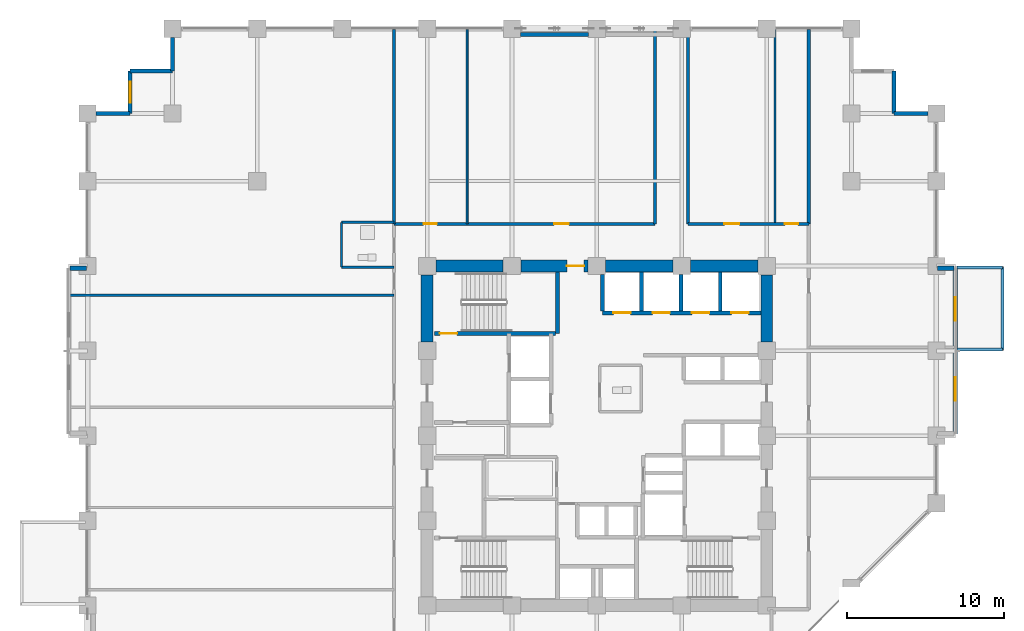
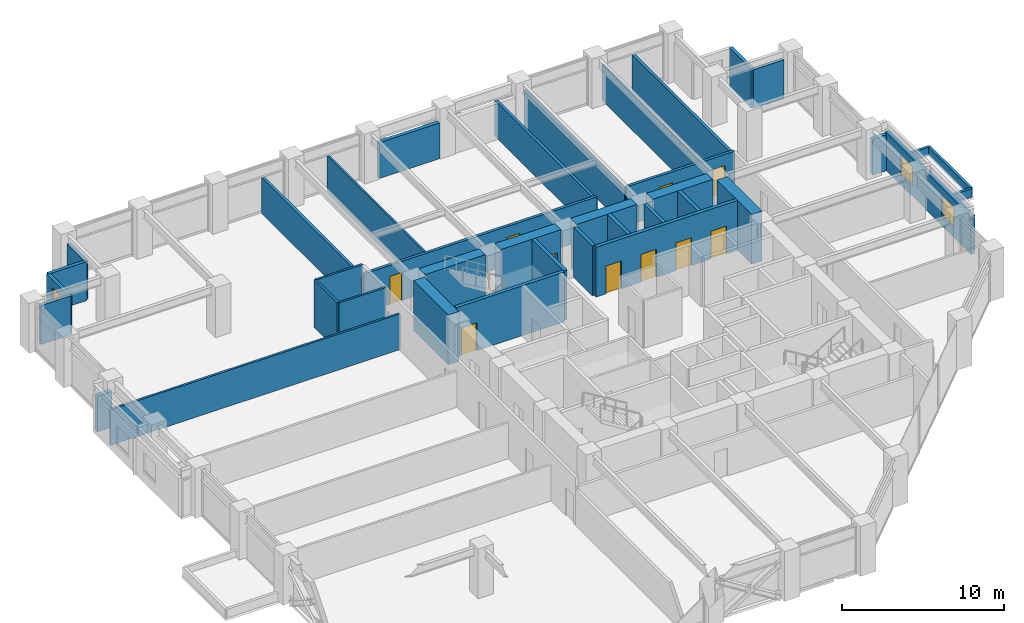
# One storey, part 21 of 25: 38 walls, 10 doors, 3 windows, 13 openings.
"""IFC4 building model written with IfcOpenShell, lengths in metres."""

from ifc_helpers import new_model, si_unit, direction, frame, frame_2d, origin, place, context, subcontext, project, spatial, rectangle, extrude, material, layer, layer_set, type_object, element, fill, save


model = new_model("IFC4")

# Units and contexts
model_context = context("Model", 3, precision=1e-05, world=origin(), true_north=direction((0.0, 1.0)))
body_context = subcontext(model_context, "Body", "Model", "MODEL_VIEW")
ifc_project = project(units=[si_unit("LENGTHUNIT", "METRE"), si_unit("AREAUNIT", "SQUARE_METRE"), si_unit("VOLUMEUNIT", "CUBIC_METRE"), si_unit("PLANEANGLEUNIT", "RADIAN"), si_unit("MASSUNIT", "GRAM", prefix="KILO")], contexts=[model_context])

# Site, building, storey
site_placement = place(None, origin())
site = spatial("IfcSite", under=ifc_project, at=site_placement, CompositionType="ELEMENT")
building_placement = place(site_placement, origin())
building = spatial("IfcBuilding", under=site, at=building_placement, Name="Surkhivell Harbour Commons", CompositionType="ELEMENT")
storey_placement = place(building_placement, frame((0.0, 0.0, 94.5)))
storey = spatial("IfcBuildingStorey", under=building, at=storey_placement, Name="L24", CompositionType="ELEMENT", Elevation=94.5)

# Wall
ifc_material_1 = material(Name="Concrete C60/75", Category="concrete")
ifc_layer_1 = layer(ifc_material_1, 0.75)
ifc_layer_set_1 = layer_set([ifc_layer_1], Name="Concrete C60/75")
wall_type_1 = type_object("IfcWallType", Name="WAL-CORE-750", PredefinedType="SHEAR", material=ifc_layer_set_1)
wall_1_placement = place(storey_placement, frame((-10.239990234375, 10.800048828125, 0.0), z_axis=(0.0, 0.0, 1.0), x_axis=(1.0, 0.0, 0.0)))
element("IfcWall", 1, at=wall_1_placement, inside=storey, type_object=wall_type_1, Name="L24 Core Shear Wall North 1", PredefinedType="SHEAR", context=body_context, shape_type="SweptSolid", body=[
    extrude(rectangle(XDim=4.280029296875, YDim=0.75, at=frame_2d((2.14013671875, 0.0))), origin(), (0.0, 0.0, 1.0), 3.75),
])

# Wall, opening, door
wall_2_placement = place(storey_placement, frame((-4.840087890625, 10.800048828125, 0.0), z_axis=(0.0, 0.0, 1.0), x_axis=(1.0, 0.0, 0.0)))
wall_2 = element("IfcWall", 2, at=wall_2_placement, inside=storey, type_object=wall_type_1, Name="L24 Core Shear Wall North 2", PredefinedType="SHEAR", context=body_context, shape_type="SweptSolid", body=[
    extrude(rectangle(XDim=4.280029296875, YDim=0.75, at=frame_2d((2.14013671875, 0.0))), origin(), (0.0, 0.0, 1.0), 3.75),
])
opening_1_placement = place(wall_2_placement, frame((2.929931640625, 0.0, 0.0)))
opening_1 = element("IfcOpeningElement", 3, at=opening_1_placement, cuts=wall_2, Name="Opening ID-2", PredefinedType="OPENING", context=body_context, shape_type="SweptSolid", body=[
    extrude(rectangle(XDim=1.10009765625, YDim=2.10009765625, at=frame_2d((0.550048828125, 1.050048828125))), frame((0.0, 0.385009765625, 0.0), z_axis=(0.0, -1.0, 0.0), x_axis=(1.0, 0.0, 0.0)), (0.0, 0.0, 1.0), 0.77001953125),
])
ifc_material_2 = material(Name="Hardwood-veneered fire-rated door leaf", Category="wood")
door_type_1 = type_object("IfcDoorType", Name="DOR-FD60-1100", OperationType="NOTDEFINED", PredefinedType="DOOR", material=ifc_material_2)
door_1_placement = place(opening_1_placement, origin())
door_1 = element("IfcDoor", 4, at=door_1_placement, inside=storey, type_object=door_type_1, Name="L24 Central Core Lift Hall North Corridor Door", OperationType="SINGLE_SWING_LEFT", OverallHeight=2.10009765625, OverallWidth=1.10009765625, PredefinedType="DOOR", context=body_context, shape_type="SweptSolid", body=[
    extrude(rectangle(XDim=1.10009765625, YDim=2.10009765625, at=frame_2d((0.550048828125, 1.050048828125))), frame((0.0, 0.02490234375, 0.0), z_axis=(0.0, -1.0, 0.0), x_axis=(1.0, 0.0, 0.0)), (0.0, 0.0, 1.0), 0.050048828125),
])
fill(opening_1, door_1)

# Walls
for number, where, z_axis, x_axis, name in (
    (5, (0.56005859375, 10.800048828125, 0.0), (0.0, 0.0, 1.0), (1.0, 0.0, 0.0), "L24 Core Shear Wall North 3"),
    (6, (5.9599609375, 10.800048828125, 0.0), (0.0, 0.0, 1.0), (1.0, 0.0, 0.0), "L24 Core Shear Wall North 4"),
    (7, (-10.800048828125, 5.9599609375, 0.0), (0.0, 0.0, 1.0), (0.0, 1.0, 0.0), "L24 Core Shear Wall West 4"),
    (8, (10.800048828125, 5.9599609375, 0.0), (0.0, 0.0, 1.0), (0.0, 1.0, 0.0), "L24 Core Shear Wall East 4"),
):
    element("IfcWall", number, at=place(storey_placement, frame(where, z_axis=z_axis, x_axis=x_axis)), inside=storey, type_object=wall_type_1, Name=name, PredefinedType="SHEAR", context=body_context, shape_type="SweptSolid", body=[
        extrude(rectangle(XDim=4.280029296875, YDim=0.75, at=frame_2d((2.14013671875, 0.0))), origin(), (0.0, 0.0, 1.0), 3.75),
    ])
ifc_material_3 = material(Name="Flemish-bond kiln brick and precast concrete C45/55", Category="masonry")
ifc_layer_2 = layer(ifc_material_3, 0.300048828125)
ifc_layer_set_2 = layer_set([ifc_layer_2], Name="Flemish-bond kiln brick and precast concrete C45/55")
wall_type_2 = type_object("IfcWallType", Name="WAL-EXT-BRK300", PredefinedType="STANDARD", material=ifc_layer_set_2)
wall_3_placement = place(storey_placement, frame((-33.52001953125, 10.659912109375, 0.0), z_axis=(0.0, 0.0, 1.0), x_axis=(1.0, 0.0, 0.0)))
element("IfcWall", 9, at=wall_3_placement, inside=storey, type_object=wall_type_2, Name="L24 Coloured Box Return Wall 02N", PredefinedType="STANDARD", context=body_context, shape_type="SweptSolid", body=[
    extrude(rectangle(XDim=1.0400390625, YDim=0.300048828125, at=frame_2d((0.52001953125, 0.0))), origin(), (0.0, 0.0, 1.0), 2.698974609375),
])
ifc_material_4 = material(Name="Pale-metal insulated precast concrete C45/55", Category="concrete")
ifc_layer_3 = layer(ifc_material_4, 0.260009765625)
ifc_layer_set_3 = layer_set([ifc_layer_3], Name="Pale-metal insulated precast concrete C45/55")
wall_type_3 = type_object("IfcWallType", Name="WAL-EXT-MTL260", PredefinedType="STANDARD", material=ifc_layer_set_3)
wall_4_placement = place(storey_placement, frame((-0.548095703125, 25.5400390625, 0.0), z_axis=(0.0, 0.0, 1.0), x_axis=(-1.0, 0.0, 0.0)))
element("IfcWall", 10, at=wall_4_placement, inside=storey, type_object=wall_type_3, Name="L24 Braced-Bay Insulated Spandrel Backing N", PredefinedType="STANDARD", context=body_context, shape_type="SweptSolid", body=[
    extrude(rectangle(XDim=4.303955078125, YDim=0.260009765625, at=frame_2d((2.15185546875, 0.0))), origin(), (0.0, 0.0, 1.0), 2.698974609375),
])
ifc_material_5 = material(Name="Bronze-ochre cassette precast concrete C45/55", Category="concrete")
ifc_layer_4 = layer(ifc_material_5, 0.239990234375)
ifc_layer_set_4 = layer_set([ifc_layer_4], Name="Bronze-ochre cassette precast concrete C45/55")
wall_type_4 = type_object("IfcWallType", Name="WAL-EXT-OCH240", PredefinedType="STANDARD", material=ifc_layer_set_4)
wall_5_placement = place(storey_placement, frame((21.052001953125, 20.5, 0.0), z_axis=(0.0, 0.0, 1.0), x_axis=(-1.0, 0.0, 0.0)))
element("IfcWall", 11, at=wall_5_placement, inside=storey, type_object=wall_type_4, Name="L24 Serrated Corner Facade Wall 03", PredefinedType="STANDARD", context=body_context, shape_type="SweptSolid", body=[
    extrude(rectangle(XDim=2.152099609375, YDim=0.239990234375, at=frame_2d((1.076171875, 0.0))), origin(), (0.0, 0.0, 1.0), 2.93310546875),
])
wall_6_placement = place(storey_placement, frame((18.89990234375, 20.5, 0.0), z_axis=(0.0, 0.0, 1.0), x_axis=(0.0, 1.0, 0.0)))
element("IfcWall", 12, at=wall_6_placement, inside=storey, type_object=wall_type_4, Name="L24 Serrated Corner Facade Wall 04", PredefinedType="STANDARD", context=body_context, shape_type="SweptSolid", body=[
    extrude(rectangle(XDim=2.699951171875, YDim=0.239990234375, at=frame_2d((1.35009765625, 0.0))), origin(), (0.0, 0.0, 1.0), 2.93310546875),
])
wall_7_placement = place(storey_placement, frame((-27.0, 25.35205078125, 0.0), z_axis=(0.0, 0.0, 1.0), x_axis=(0.0, -1.0, 0.0)))
element("IfcWall", 13, at=wall_7_placement, inside=storey, type_object=wall_type_4, Name="L24 Serrated Corner Facade Wall 08", PredefinedType="STANDARD", context=body_context, shape_type="SweptSolid", body=[
    extrude(rectangle(XDim=2.152099609375, YDim=0.239990234375, at=frame_2d((1.076171875, 0.0))), origin(), (0.0, 0.0, 1.0), 2.93310546875),
])
wall_8_placement = place(storey_placement, frame((-27.0, 23.199951171875, 0.0), z_axis=(0.0, 0.0, 1.0), x_axis=(-1.0, 0.0, 0.0)))
element("IfcWall", 14, at=wall_8_placement, inside=storey, type_object=wall_type_4, Name="L24 Serrated Corner Facade Wall 09", PredefinedType="STANDARD", context=body_context, shape_type="SweptSolid", body=[
    extrude(rectangle(XDim=2.699951171875, YDim=0.239990234375, at=frame_2d((1.35009765625, 0.0))), origin(), (0.0, 0.0, 1.0), 2.93310546875),
])

# Wall, opening, window
wall_9_placement = place(storey_placement, frame((-29.699951171875, 23.199951171875, 0.0), z_axis=(0.0, 0.0, 1.0), x_axis=(0.0, -1.0, 0.0)))
wall_9 = element("IfcWall", 15, at=wall_9_placement, inside=storey, type_object=wall_type_4, Name="L24 Serrated Corner Facade Wall 10", PredefinedType="STANDARD", context=body_context, shape_type="SweptSolid", body=[
    extrude(rectangle(XDim=2.699951171875, YDim=0.239990234375, at=frame_2d((1.35009765625, 0.0))), origin(), (0.0, 0.0, 1.0), 2.93310546875),
])
opening_2_placement = place(wall_9_placement, frame((0.675048828125, 0.0, 0.64990234375)))
opening_2 = element("IfcOpeningElement", 16, at=opening_2_placement, cuts=wall_9, Name="Opening WN-08", PredefinedType="OPENING", context=body_context, shape_type="SweptSolid", body=[
    extrude(rectangle(XDim=1.35009765625, YDim=1.64990234375, at=frame_2d((0.675048828125, 0.824951171875))), frame((0.0, 0.1298828125, 0.0), z_axis=(0.0, -1.0, 0.0), x_axis=(1.0, 0.0, 0.0)), (0.0, 0.0, 1.0), 0.260009765625),
])
ifc_material_6 = material(Name="Thermal-break aluminium frame and double low-E glazing", Category="aluminium")
window_type_1 = type_object("IfcWindowType", Name="WIN-SER-1350x1650", PartitioningType="SINGLE_PANEL", PredefinedType="WINDOW", material=ifc_material_6)
window_1_placement = place(opening_2_placement, origin())
window_1 = element("IfcWindow", 17, at=window_1_placement, inside=storey, type_object=window_type_1, Name="L24 Serrated Alcove Window 10", OverallHeight=1.64990234375, OverallWidth=1.35009765625, PartitioningType="SINGLE_PANEL", PredefinedType="WINDOW", context=body_context, shape_type="SweptSolid", body=[
    extrude(rectangle(XDim=1.35009765625, YDim=1.64990234375, at=frame_2d((0.675048828125, 0.824951171875))), frame((0.0, 0.030029296875, 0.0), z_axis=(0.0, -1.0, 0.0), x_axis=(1.0, 0.0, 0.0)), (0.0, 0.0, 1.0), 0.06005859375),
])
fill(opening_2, window_1)

# Wall
wall_10_placement = place(storey_placement, frame((-29.699951171875, 20.5, 0.0), z_axis=(0.0, 0.0, 1.0), x_axis=(-1.0, 0.0, 0.0)))
element("IfcWall", 18, at=wall_10_placement, inside=storey, type_object=wall_type_4, Name="L24 Serrated Corner Facade Wall 11", PredefinedType="STANDARD", context=body_context, shape_type="SweptSolid", body=[
    extrude(rectangle(XDim=2.152099609375, YDim=0.239990234375, at=frame_2d((1.076171875, 0.0))), origin(), (0.0, 0.0, 1.0), 2.93310546875),
])

# Wall, openings, windows
ifc_material_7 = material(Name="Terracotta-clad reinforced concrete C45/55", Category="masonry")
ifc_layer_5 = layer(ifc_material_7, 0.280029296875)
ifc_layer_set_5 = layer_set([ifc_layer_5], Name="Terracotta-clad reinforced concrete C45/55")
wall_type_5 = type_object("IfcWallType", Name="WAL-EXT-TER280", PredefinedType="STANDARD", material=ifc_layer_set_5)
wall_11_placement = place(storey_placement, frame((22.800048828125, 0.1201171875, 0.0), z_axis=(0.0, 0.0, 1.0), x_axis=(0.0, 1.0, 0.0)))
wall_11 = element("IfcWall", 19, at=wall_11_placement, inside=storey, type_object=wall_type_5, Name="L24 Coloured Box Front Wall 01", PredefinedType="STANDARD", context=body_context, shape_type="SweptSolid", body=[
    extrude(rectangle(XDim=10.559814453125, YDim=0.280029296875, at=frame_2d((5.27978515625, 0.0))), origin(), (0.0, 0.0, 1.0), 2.85693359375),
])
opening_3_placement = place(wall_11_placement, frame((2.094970703125, 0.0, 0.75)))
opening_3 = element("IfcOpeningElement", 20, at=opening_3_placement, cuts=wall_11, Name="Opening WN-13", PredefinedType="OPENING", context=body_context, shape_type="SweptSolid", body=[
    extrude(rectangle(XDim=1.5, YDim=1.5, at=frame_2d((0.75, 0.75))), frame((0.0, 0.14990234375, 0.0), z_axis=(0.0, -1.0, 0.0), x_axis=(1.0, 0.0, 0.0)), (0.0, 0.0, 1.0), 0.300048828125),
])
opening_4_placement = place(wall_11_placement, frame((7.195068359375, 0.0, 0.75)))
opening_4 = element("IfcOpeningElement", 21, at=opening_4_placement, cuts=wall_11, Name="Opening WN-13", PredefinedType="OPENING", context=body_context, shape_type="SweptSolid", body=[
    extrude(rectangle(XDim=1.5, YDim=1.5, at=frame_2d((0.75, 0.75))), frame((0.0, 0.14990234375, 0.0), z_axis=(0.0, -1.0, 0.0), x_axis=(1.0, 0.0, 0.0)), (0.0, 0.0, 1.0), 0.300048828125),
])
window_type_2 = type_object("IfcWindowType", Name="WIN-BOX-1500x1500", PartitioningType="SINGLE_PANEL", PredefinedType="WINDOW", material=ifc_material_6)
window_2_placement = place(opening_3_placement, origin())
window_2 = element("IfcWindow", 22, at=window_2_placement, inside=storey, type_object=window_type_2, Name="L24 Coloured Box Square Window 01-1", OverallHeight=1.5, OverallWidth=1.5, PartitioningType="SINGLE_PANEL", PredefinedType="WINDOW", context=body_context, shape_type="SweptSolid", body=[
    extrude(rectangle(XDim=1.5, YDim=1.5, at=frame_2d((0.75, 0.75))), frame((0.0, 0.030029296875, 0.0), z_axis=(0.0, -1.0, 0.0), x_axis=(1.0, 0.0, 0.0)), (0.0, 0.0, 1.0), 0.06005859375),
])
fill(opening_3, window_2)
window_3_placement = place(opening_4_placement, origin())
window_3 = element("IfcWindow", 23, at=window_3_placement, inside=storey, type_object=window_type_2, Name="L24 Coloured Box Square Window 01-2", OverallHeight=1.5, OverallWidth=1.5, PartitioningType="SINGLE_PANEL", PredefinedType="WINDOW", context=body_context, shape_type="SweptSolid", body=[
    extrude(rectangle(XDim=1.5, YDim=1.5, at=frame_2d((0.75, 0.75))), frame((0.0, 0.030029296875, 0.0), z_axis=(0.0, -1.0, 0.0), x_axis=(1.0, 0.0, 0.0)), (0.0, 0.0, 1.0), 0.06005859375),
])
fill(opening_4, window_3)

# Walls
wall_12_placement = place(storey_placement, frame((21.679931640625, 10.659912109375, 0.0), z_axis=(0.0, 0.0, 1.0), x_axis=(1.0, 0.0, 0.0)))
element("IfcWall", 24, at=wall_12_placement, inside=storey, type_object=wall_type_5, Name="L24 Coloured Box Return Wall 01N", PredefinedType="STANDARD", context=body_context, shape_type="SweptSolid", body=[
    extrude(rectangle(XDim=1.0400390625, YDim=0.280029296875, at=frame_2d((0.52001953125, 0.0))), origin(), (0.0, 0.0, 1.0), 2.698974609375),
])
ifc_material_8 = material(Name="Moisture-resistant acoustic stud partition", Category="other")
ifc_layer_6 = layer(ifc_material_8, 0.125)
ifc_layer_set_6 = layer_set([ifc_layer_6], Name="Moisture-resistant acoustic stud partition")
wall_type_6 = type_object("IfcWallType", Name="WAL-INT-125", PredefinedType="PARTITIONING", material=ifc_layer_set_6)
wall_13_placement = place(storey_placement, frame((-8.25, 13.47998046875, 0.0), z_axis=(0.0, 0.0, 1.0), x_axis=(0.0, 1.0, 0.0)))
element("IfcWall", 25, at=wall_13_placement, inside=storey, type_object=wall_type_6, Name="L24 North-West Partition P1", PredefinedType="PARTITIONING", context=body_context, shape_type="SweptSolid", body=[
    extrude(rectangle(XDim=12.360107421875, YDim=0.125, at=frame_2d((6.18017578125, 0.0))), origin(), (0.0, 0.0, 1.0), 2.698974609375),
])
ifc_material_9 = material(Name="Twin-stud acoustic fireboard partition", Category="other")
ifc_layer_7 = layer(ifc_material_9, 0.14990234375)
ifc_layer_set_7 = layer_set([ifc_layer_7], Name="Twin-stud acoustic fireboard partition")
wall_type_7 = type_object("IfcWallType", Name="WAL-INT-150", PredefinedType="PARTITIONING", material=ifc_layer_set_7)
wall_14_placement = place(storey_placement, frame((11.330078125, 13.47998046875, 0.0), z_axis=(0.0, 0.0, 1.0), x_axis=(0.0, 1.0, 0.0)))
element("IfcWall", 26, at=wall_14_placement, inside=storey, type_object=wall_type_7, Name="L24 North-East Partition P1", PredefinedType="PARTITIONING", context=body_context, shape_type="SweptSolid", body=[
    extrude(rectangle(XDim=12.360107421875, YDim=0.14990234375, at=frame_2d((6.18017578125, 0.0))), origin(), (0.0, 0.0, 1.0), 2.698974609375),
])
wall_15_placement = place(storey_placement, frame((-16.25, 10.72998046875, 0.0), z_axis=(0.0, 0.0, 1.0), x_axis=(0.0, 1.0, 0.0)))
element("IfcWall", 27, at=wall_15_placement, inside=storey, type_object=wall_type_7, Name="L24 West Partition BTHB", PredefinedType="PARTITIONING", context=body_context, shape_type="SweptSolid", body=[
    extrude(rectangle(XDim=2.85009765625, YDim=0.14990234375, at=frame_2d((1.425048828125, 0.0))), origin(), (0.0, 0.0, 1.0), 3.570068359375),
])
for number, where, z_axis, x_axis, name in (
    (28, (-16.25, 13.580078125, 0.0), (0.0, 0.0, 1.0), (1.0, 0.0, 0.0), "L24 West Partition BTHN"),
    (29, (-16.25, 10.72998046875, 0.0), (0.0, 0.0, 1.0), (1.0, 0.0, 0.0), "L24 West Partition BTHS"),
):
    element("IfcWall", number, at=place(storey_placement, frame(where, z_axis=z_axis, x_axis=x_axis)), inside=storey, type_object=wall_type_7, Name=name, PredefinedType="PARTITIONING", context=body_context, shape_type="SweptSolid", body=[
        extrude(rectangle(XDim=3.35009765625, YDim=0.14990234375, at=frame_2d((1.675048828125, 0.0))), origin(), (0.0, 0.0, 1.0), 3.570068359375),
    ])
wall_16_placement = place(storey_placement, frame((-33.5400390625, 8.929931640625, 0.0), z_axis=(0.0, 0.0, 1.0), x_axis=(1.0, 0.0, 0.0)))
element("IfcWall", 30, at=wall_16_placement, inside=storey, type_object=wall_type_7, Name="L24 West Partition PTOP", PredefinedType="PARTITIONING", context=body_context, shape_type="SweptSolid", body=[
    extrude(rectangle(XDim=20.64013671875, YDim=0.14990234375, at=frame_2d((10.320068359375, 0.0))), origin(), (0.0, 0.0, 1.0), 2.698974609375),
])
ifc_material_10 = material(Name="Autoclaved aerated concrete blockwork and fire plaster", Category="masonry")
ifc_layer_8 = layer(ifc_material_10, 0.199951171875)
ifc_layer_set_8 = layer_set([ifc_layer_8], Name="Autoclaved aerated concrete blockwork and fire plaster")
wall_type_8 = type_object("IfcWallType", Name="WAL-INT-200", PredefinedType="PARTITIONING", material=ifc_layer_set_8)
for number, where, z_axis, x_axis, name in (
    (31, (13.47998046875, 13.47998046875, 0.0), (0.0, 0.0, 1.0), (0.0, 1.0, 0.0), "L24 North-East Wing Corner Divider"),
    (32, (-12.89990234375, 13.47998046875, 0.0), (0.0, 0.0, 1.0), (0.0, 1.0, 0.0), "L24 North-West Wing Corner Divider"),
):
    element("IfcWall", number, at=place(storey_placement, frame(where, z_axis=z_axis, x_axis=x_axis)), inside=storey, type_object=wall_type_8, Name=name, PredefinedType="PARTITIONING", context=body_context, shape_type="SweptSolid", body=[
        extrude(rectangle(XDim=12.360107421875, YDim=0.199951171875, at=frame_2d((6.18017578125, 0.0))), origin(), (0.0, 0.0, 1.0), 2.698974609375),
    ])

# Wall, openings, doors
wall_17_placement = place(storey_placement, frame((-12.89990234375, 13.47998046875, 0.0), z_axis=(0.0, 0.0, 1.0), x_axis=(1.0, 0.0, 0.0)))
wall_17 = element("IfcWall", 33, at=wall_17_placement, inside=storey, type_object=wall_type_8, Name="L24 Corridor North-West Wall", PredefinedType="PARTITIONING", context=body_context, shape_type="SweptSolid", body=[
    extrude(rectangle(XDim=16.599853515625, YDim=0.199951171875, at=frame_2d((8.2998046875, 0.0))), origin(), (0.0, 0.0, 1.0), 2.93310546875),
])
opening_5_placement = place(wall_17_placement, frame((1.875, 0.0, 0.0)))
opening_5 = element("IfcOpeningElement", 34, at=opening_5_placement, cuts=wall_17, Name="Opening ID-6", PredefinedType="OPENING", context=body_context, shape_type="SweptSolid", body=[
    extrude(rectangle(XDim=0.85009765625, YDim=2.10009765625, at=frame_2d((0.425048828125, 1.050048828125))), frame((0.0, 0.10986328125, 0.0), z_axis=(0.0, -1.0, 0.0), x_axis=(1.0, 0.0, 0.0)), (0.0, 0.0, 1.0), 0.219970703125),
])
opening_6_placement = place(wall_17_placement, frame((10.175048828125, 0.0, 0.0)))
opening_6 = element("IfcOpeningElement", 35, at=opening_6_placement, cuts=wall_17, Name="Opening ID-4", PredefinedType="OPENING", context=body_context, shape_type="SweptSolid", body=[
    extrude(rectangle(XDim=0.949951171875, YDim=2.10009765625, at=frame_2d((0.47509765625, 1.050048828125))), frame((0.0, 0.10986328125, 0.0), z_axis=(0.0, -1.0, 0.0), x_axis=(1.0, 0.0, 0.0)), (0.0, 0.0, 1.0), 0.219970703125),
])
door_type_2 = type_object("IfcDoorType", Name="DOR-FD30-850", OperationType="NOTDEFINED", PredefinedType="DOOR", material=ifc_material_2)
door_2_placement = place(opening_5_placement, origin())
door_2 = element("IfcDoor", 36, at=door_2_placement, inside=storey, type_object=door_type_2, Name="L24 Shared Communal Kitchen A North-West Door", OperationType="SINGLE_SWING_RIGHT", OverallHeight=2.10009765625, OverallWidth=0.85009765625, PredefinedType="DOOR", context=body_context, shape_type="SweptSolid", body=[
    extrude(rectangle(XDim=0.85009765625, YDim=2.10009765625, at=frame_2d((0.425048828125, 1.050048828125))), frame((0.0, 0.02490234375, 0.0), z_axis=(0.0, -1.0, 0.0), x_axis=(1.0, 0.0, 0.0)), (0.0, 0.0, 1.0), 0.050048828125),
])
fill(opening_5, door_2)
door_type_3 = type_object("IfcDoorType", Name="DOR-FD60-950", OperationType="NOTDEFINED", PredefinedType="DOOR", material=ifc_material_2)
door_3_placement = place(opening_6_placement, origin())
door_3 = element("IfcDoor", 37, at=door_3_placement, inside=storey, type_object=door_type_3, Name="L24 Shared Communal Kitchen B North-West Door", OperationType="SINGLE_SWING_LEFT", OverallHeight=2.10009765625, OverallWidth=0.949951171875, PredefinedType="DOOR", context=body_context, shape_type="SweptSolid", body=[
    extrude(rectangle(XDim=0.949951171875, YDim=2.10009765625, at=frame_2d((0.47509765625, 1.050048828125))), frame((0.0, 0.02490234375, 0.0), z_axis=(0.0, -1.0, 0.0), x_axis=(1.0, 0.0, 0.0)), (0.0, 0.0, 1.0), 0.050048828125),
])
fill(opening_6, door_3)

wall_18_placement = place(storey_placement, frame((5.800048828125, 13.47998046875, 0.0), z_axis=(0.0, 0.0, 1.0), x_axis=(1.0, 0.0, 0.0)))
wall_18 = element("IfcWall", 38, at=wall_18_placement, inside=storey, type_object=wall_type_8, Name="L24 Corridor North-East Wall", PredefinedType="PARTITIONING", context=body_context, shape_type="SweptSolid", body=[
    extrude(rectangle(XDim=7.679931640625, YDim=0.199951171875, at=frame_2d((3.83984375, 0.0))), origin(), (0.0, 0.0, 1.0), 2.93310546875),
])
opening_7_placement = place(wall_18_placement, frame((2.31494140625, 0.0, 0.0)))
opening_7 = element("IfcOpeningElement", 39, at=opening_7_placement, cuts=wall_18, Name="Opening ID-4", PredefinedType="OPENING", context=body_context, shape_type="SweptSolid", body=[
    extrude(rectangle(XDim=0.949951171875, YDim=2.10009765625, at=frame_2d((0.47509765625, 1.050048828125))), frame((0.0, 0.10986328125, 0.0), z_axis=(0.0, -1.0, 0.0), x_axis=(1.0, 0.0, 0.0)), (0.0, 0.0, 1.0), 0.219970703125),
])
opening_8_placement = place(wall_18_placement, frame((6.155029296875, 0.0, 0.0)))
opening_8 = element("IfcOpeningElement", 40, at=opening_8_placement, cuts=wall_18, Name="Opening ID-6", PredefinedType="OPENING", context=body_context, shape_type="SweptSolid", body=[
    extrude(rectangle(XDim=0.85009765625, YDim=2.10009765625, at=frame_2d((0.425048828125, 1.050048828125))), frame((0.0, 0.10986328125, 0.0), z_axis=(0.0, -1.0, 0.0), x_axis=(1.0, 0.0, 0.0)), (0.0, 0.0, 1.0), 0.219970703125),
])
door_4_placement = place(opening_8_placement, origin())
door_4 = element("IfcDoor", 41, at=door_4_placement, inside=storey, type_object=door_type_2, Name="L24 Resident Advisory Reception Desk North-East Door", OperationType="SINGLE_SWING_LEFT", OverallHeight=2.10009765625, OverallWidth=0.85009765625, PredefinedType="DOOR", context=body_context, shape_type="SweptSolid", body=[
    extrude(rectangle(XDim=0.85009765625, YDim=2.10009765625, at=frame_2d((0.425048828125, 1.050048828125))), frame((0.0, 0.02490234375, 0.0), z_axis=(0.0, -1.0, 0.0), x_axis=(1.0, 0.0, 0.0)), (0.0, 0.0, 1.0), 0.050048828125),
])
fill(opening_8, door_4)
door_5_placement = place(opening_7_placement, origin())
door_5 = element("IfcDoor", 42, at=door_5_placement, inside=storey, type_object=door_type_3, Name="L24 Zone Concierge Reception Foyer North-East Door", OperationType="SINGLE_SWING_RIGHT", OverallHeight=2.10009765625, OverallWidth=0.949951171875, PredefinedType="DOOR", context=body_context, shape_type="SweptSolid", body=[
    extrude(rectangle(XDim=0.949951171875, YDim=2.10009765625, at=frame_2d((0.47509765625, 1.050048828125))), frame((0.0, 0.02490234375, 0.0), z_axis=(0.0, -1.0, 0.0), x_axis=(1.0, 0.0, 0.0)), (0.0, 0.0, 1.0), 0.050048828125),
])
fill(opening_7, door_5)

# Walls
for number, where, z_axis, x_axis, name in (
    (43, (5.800048828125, 13.47998046875, 0.0), (0.0, 0.0, 1.0), (0.0, 1.0, 0.0), "L24 North Alcove East Wall"),
    (44, (3.699951171875, 13.47998046875, 0.0), (0.0, 0.0, 1.0), (0.0, 1.0, 0.0), "L24 North Alcove West Wall"),
):
    element("IfcWall", number, at=place(storey_placement, frame(where, z_axis=z_axis, x_axis=x_axis)), inside=storey, type_object=wall_type_8, Name=name, PredefinedType="PARTITIONING", context=body_context, shape_type="SweptSolid", body=[
        extrude(rectangle(XDim=12.360107421875, YDim=0.199951171875, at=frame_2d((6.18017578125, 0.0))), origin(), (0.0, 0.0, 1.0), 2.698974609375),
    ])
ifc_material_11 = material(Name="Anodised aluminium and precast concrete C40/50", Category="concrete")
ifc_layer_9 = layer(ifc_material_11, 0.18505859375)
ifc_layer_set_9 = layer_set([ifc_layer_9], Name="Anodised aluminium and precast concrete C40/50")
wall_type_9 = type_object("IfcWallType", Name="WAL-PAR-185", PredefinedType="PARAPET", material=ifc_layer_set_9)
wall_19_placement = place(storey_placement, frame((22.919921875, 5.5, 0.0), z_axis=(0.0, 0.0, 1.0), x_axis=(1.0, 0.0, 0.0)))
element("IfcWall", 45, at=wall_19_placement, inside=storey, type_object=wall_type_9, Name="L24 Box Roof Coping Parapet 1-1", PredefinedType="PARAPET", context=body_context, shape_type="SweptSolid", body=[
    extrude(rectangle(XDim=2.880126953125, YDim=0.18505859375, at=frame_2d((1.43994140625, 0.0))), origin(), (0.0, 0.0, 1.0), 0.64990234375),
])
wall_20_placement = place(storey_placement, frame((25.800048828125, 5.5, 0.0), z_axis=(0.0, 0.0, 1.0), x_axis=(0.0, 1.0, 0.0)))
element("IfcWall", 46, at=wall_20_placement, inside=storey, type_object=wall_type_9, Name="L24 Box Roof Coping Parapet 1-2", PredefinedType="PARAPET", context=body_context, shape_type="SweptSolid", body=[
    extrude(rectangle(XDim=5.199951171875, YDim=0.18505859375, at=frame_2d((2.60009765625, 0.0))), origin(), (0.0, 0.0, 1.0), 0.64990234375),
])
wall_21_placement = place(storey_placement, frame((25.800048828125, 10.699951171875, 0.0), z_axis=(0.0, 0.0, 1.0), x_axis=(-1.0, 0.0, 0.0)))
element("IfcWall", 47, at=wall_21_placement, inside=storey, type_object=wall_type_9, Name="L24 Box Roof Coping Parapet 1-3", PredefinedType="PARAPET", context=body_context, shape_type="SweptSolid", body=[
    extrude(rectangle(XDim=2.880126953125, YDim=0.18505859375, at=frame_2d((1.43994140625, 0.0))), origin(), (0.0, 0.0, 1.0), 0.64990234375),
])
ifc_material_12 = material(Name="Concrete C50/60", Category="concrete")
ifc_layer_10 = layer(ifc_material_12, 0.25)
ifc_layer_set_10 = layer_set([ifc_layer_10], Name="Concrete C50/60")
wall_type_10 = type_object("IfcWallType", Name="WAL-SHAFT-250", PredefinedType="SHEAR", material=ifc_layer_set_10)
wall_22_placement = place(storey_placement, frame((2.85009765625, 7.93994140625, 0.0), z_axis=(0.0, 0.0, 1.0), x_axis=(0.0, 1.0, 0.0)))
element("IfcWall", 48, at=wall_22_placement, inside=storey, type_object=wall_type_10, Name="L24 Low-Rise Hoistway Wall", PredefinedType="SHEAR", context=body_context, shape_type="SweptSolid", body=[
    extrude(rectangle(XDim=2.485107421875, YDim=0.25, at=frame_2d((1.24267578125, 0.0))), origin(), (0.0, 0.0, 1.0), 3.75),
])
for number, where, z_axis, x_axis, name in (
    (49, (0.35009765625, 7.93994140625, 0.0), (0.0, 0.0, 1.0), (0.0, 1.0, 0.0), "L24 Low-Rise Hoistway Wall"),
    (50, (5.35009765625, 7.93994140625, 0.0), (0.0, 0.0, 1.0), (0.0, 1.0, 0.0), "L24 Low-Rise Hoistway Wall"),
):
    element("IfcWall", number, at=place(storey_placement, frame(where, z_axis=z_axis, x_axis=x_axis)), inside=storey, type_object=wall_type_10, Name=name, PredefinedType="SHEAR", context=body_context, shape_type="SweptSolid", body=[
        extrude(rectangle(XDim=2.31005859375, YDim=0.25, at=frame_2d((1.155029296875, 0.0))), origin(), (0.0, 0.0, 1.0), 3.75),
    ])
wall_23_placement = place(storey_placement, frame((7.85009765625, 7.93994140625, 0.0), z_axis=(0.0, 0.0, 1.0), x_axis=(0.0, 1.0, 0.0)))
element("IfcWall", 51, at=wall_23_placement, inside=storey, type_object=wall_type_10, Name="L24 Low-Rise Hoistway Wall", PredefinedType="SHEAR", context=body_context, shape_type="SweptSolid", body=[
    extrude(rectangle(XDim=2.485107421875, YDim=0.25, at=frame_2d((1.24267578125, 0.0))), origin(), (0.0, 0.0, 1.0), 3.75),
])

# Wall, openings, doors
wall_24_placement = place(storey_placement, frame((0.35009765625, 7.820068359375, 0.0), z_axis=(0.0, 0.0, 1.0), x_axis=(1.0, 0.0, 0.0)))
wall_24 = element("IfcWall", 52, at=wall_24_placement, inside=storey, type_object=wall_type_10, Name="L24 Low-Rise Lift Front Shaft Wall", PredefinedType="SHEAR", context=body_context, shape_type="SweptSolid", body=[
    extrude(rectangle(XDim=10.074951171875, YDim=0.25, at=frame_2d((5.03759765625, 0.0))), origin(), (0.0, 0.0, 1.0), 3.75),
])
opening_9_placement = place(wall_24_placement, frame((0.699951171875, 0.0, 0.0)))
opening_9 = element("IfcOpeningElement", 53, at=opening_9_placement, cuts=wall_24, Name="Opening LD-1", PredefinedType="OPENING", context=body_context, shape_type="SweptSolid", body=[
    extrude(rectangle(XDim=1.10009765625, YDim=2.10009765625, at=frame_2d((0.550048828125, 1.050048828125))), frame((0.0, 0.135009765625, 0.0), z_axis=(0.0, -1.0, 0.0), x_axis=(1.0, 0.0, 0.0)), (0.0, 0.0, 1.0), 0.27001953125),
])
opening_10_placement = place(wall_24_placement, frame((3.199951171875, 0.0, 0.0)))
opening_10 = element("IfcOpeningElement", 54, at=opening_10_placement, cuts=wall_24, Name="Opening LD-1", PredefinedType="OPENING", context=body_context, shape_type="SweptSolid", body=[
    extrude(rectangle(XDim=1.10009765625, YDim=2.10009765625, at=frame_2d((0.550048828125, 1.050048828125))), frame((0.0, 0.135009765625, 0.0), z_axis=(0.0, -1.0, 0.0), x_axis=(1.0, 0.0, 0.0)), (0.0, 0.0, 1.0), 0.27001953125),
])
opening_11_placement = place(wall_24_placement, frame((5.699951171875, 0.0, 0.0)))
opening_11 = element("IfcOpeningElement", 55, at=opening_11_placement, cuts=wall_24, Name="Opening LD-1", PredefinedType="OPENING", context=body_context, shape_type="SweptSolid", body=[
    extrude(rectangle(XDim=1.10009765625, YDim=2.10009765625, at=frame_2d((0.550048828125, 1.050048828125))), frame((0.0, 0.135009765625, 0.0), z_axis=(0.0, -1.0, 0.0), x_axis=(1.0, 0.0, 0.0)), (0.0, 0.0, 1.0), 0.27001953125),
])
opening_12_placement = place(wall_24_placement, frame((8.199951171875, 0.0, 0.0)))
opening_12 = element("IfcOpeningElement", 56, at=opening_12_placement, cuts=wall_24, Name="Opening LD-1", PredefinedType="OPENING", context=body_context, shape_type="SweptSolid", body=[
    extrude(rectangle(XDim=1.10009765625, YDim=2.10009765625, at=frame_2d((0.550048828125, 1.050048828125))), frame((0.0, 0.135009765625, 0.0), z_axis=(0.0, -1.0, 0.0), x_axis=(1.0, 0.0, 0.0)), (0.0, 0.0, 1.0), 0.27001953125),
])
ifc_material_13 = material(Name="Brushed stainless steel S355", Category="steel")
door_type_4 = type_object("IfcDoorType", Name="DOR-LD-1100", OperationType="SLIDING_TO_LEFT", PredefinedType="DOOR", material=ifc_material_13)
door_6_placement = place(opening_9_placement, origin())
door_6 = element("IfcDoor", 57, at=door_6_placement, inside=storey, type_object=door_type_4, Name="L24 Lift Landing Door LD-PL1", OperationType="SLIDING_TO_LEFT", OverallHeight=2.10009765625, OverallWidth=1.10009765625, PredefinedType="DOOR", context=body_context, shape_type="SweptSolid", body=[
    extrude(rectangle(XDim=1.10009765625, YDim=2.10009765625, at=frame_2d((0.550048828125, 1.050048828125))), frame((0.0, 0.02490234375, 0.0), z_axis=(0.0, -1.0, 0.0), x_axis=(1.0, 0.0, 0.0)), (0.0, 0.0, 1.0), 0.050048828125),
])
fill(opening_9, door_6)
door_7_placement = place(opening_10_placement, origin())
door_7 = element("IfcDoor", 58, at=door_7_placement, inside=storey, type_object=door_type_4, Name="L24 Lift Landing Door LD-PL2", OperationType="SLIDING_TO_LEFT", OverallHeight=2.10009765625, OverallWidth=1.10009765625, PredefinedType="DOOR", context=body_context, shape_type="SweptSolid", body=[
    extrude(rectangle(XDim=1.10009765625, YDim=2.10009765625, at=frame_2d((0.550048828125, 1.050048828125))), frame((0.0, 0.02490234375, 0.0), z_axis=(0.0, -1.0, 0.0), x_axis=(1.0, 0.0, 0.0)), (0.0, 0.0, 1.0), 0.050048828125),
])
fill(opening_10, door_7)
door_8_placement = place(opening_11_placement, origin())
door_8 = element("IfcDoor", 59, at=door_8_placement, inside=storey, type_object=door_type_4, Name="L24 Lift Landing Door LD-PL3", OperationType="SLIDING_TO_LEFT", OverallHeight=2.10009765625, OverallWidth=1.10009765625, PredefinedType="DOOR", context=body_context, shape_type="SweptSolid", body=[
    extrude(rectangle(XDim=1.10009765625, YDim=2.10009765625, at=frame_2d((0.550048828125, 1.050048828125))), frame((0.0, 0.02490234375, 0.0), z_axis=(0.0, -1.0, 0.0), x_axis=(1.0, 0.0, 0.0)), (0.0, 0.0, 1.0), 0.050048828125),
])
fill(opening_11, door_8)
door_9_placement = place(opening_12_placement, origin())
door_9 = element("IfcDoor", 60, at=door_9_placement, inside=storey, type_object=door_type_4, Name="L24 Lift Landing Door LD-PL4", OperationType="SLIDING_TO_LEFT", OverallHeight=2.10009765625, OverallWidth=1.10009765625, PredefinedType="DOOR", context=body_context, shape_type="SweptSolid", body=[
    extrude(rectangle(XDim=1.10009765625, YDim=2.10009765625, at=frame_2d((0.550048828125, 1.050048828125))), frame((0.0, 0.02490234375, 0.0), z_axis=(0.0, -1.0, 0.0), x_axis=(1.0, 0.0, 0.0)), (0.0, 0.0, 1.0), 0.050048828125),
])
fill(opening_12, door_9)

# Wall
wall_25_placement = place(storey_placement, frame((-2.510009765625, 6.510009765625, 0.0), z_axis=(0.0, 0.0, 1.0), x_axis=(0.0, 1.0, 0.0)))
element("IfcWall", 61, at=wall_25_placement, inside=storey, type_object=wall_type_10, Name="L24 Stair ST1 East Shear Wall", PredefinedType="SHEAR", context=body_context, shape_type="SweptSolid", body=[
    extrude(rectangle(XDim=3.9150390625, YDim=0.25, at=frame_2d((1.95751953125, 0.0))), origin(), (0.0, 0.0, 1.0), 3.75),
])

# Wall, opening, door
wall_26_placement = place(storey_placement, frame((-10.340087890625, 6.510009765625, 0.0), z_axis=(0.0, 0.0, 1.0), x_axis=(1.0, 0.0, 0.0)))
wall_26 = element("IfcWall", 62, at=wall_26_placement, inside=storey, type_object=wall_type_10, Name="L24 Stair ST1 South Shear Wall", PredefinedType="SHEAR", context=body_context, shape_type="SweptSolid", body=[
    extrude(rectangle(XDim=7.7001953125, YDim=0.25, at=frame_2d((3.85009765625, 0.0))), origin(), (0.0, 0.0, 1.0), 3.75),
])
opening_13_placement = place(wall_26_placement, frame((0.35009765625, 0.0, 0.0)))
opening_13 = element("IfcOpeningElement", 63, at=opening_13_placement, cuts=wall_26, Name="Opening ID-2", PredefinedType="OPENING", context=body_context, shape_type="SweptSolid", body=[
    extrude(rectangle(XDim=1.10009765625, YDim=2.10009765625, at=frame_2d((0.550048828125, 1.050048828125))), frame((0.0, 0.135009765625, 0.0), z_axis=(0.0, -1.0, 0.0), x_axis=(1.0, 0.0, 0.0)), (0.0, 0.0, 1.0), 0.27001953125),
])
door_10_placement = place(opening_13_placement, origin())
door_10 = element("IfcDoor", 64, at=door_10_placement, inside=storey, type_object=door_type_1, Name="L24 Stair ST1 Exit Door", OperationType="SINGLE_SWING_LEFT", OverallHeight=2.10009765625, OverallWidth=1.10009765625, PredefinedType="DOOR", context=body_context, shape_type="SweptSolid", body=[
    extrude(rectangle(XDim=1.10009765625, YDim=2.10009765625, at=frame_2d((0.550048828125, 1.050048828125))), frame((0.0, 0.02490234375, 0.0), z_axis=(0.0, -1.0, 0.0), x_axis=(1.0, 0.0, 0.0)), (0.0, 0.0, 1.0), 0.050048828125),
])
fill(opening_13, door_10)

save(model, "model.ifc")
